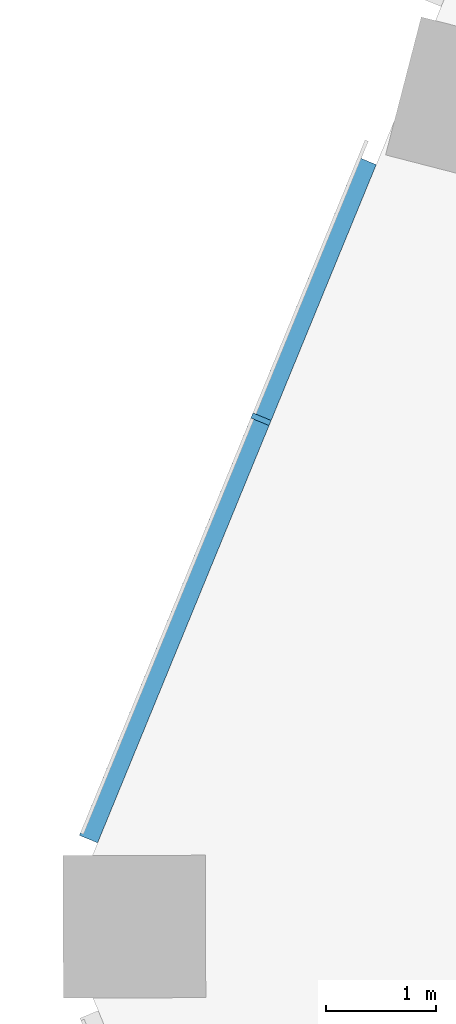
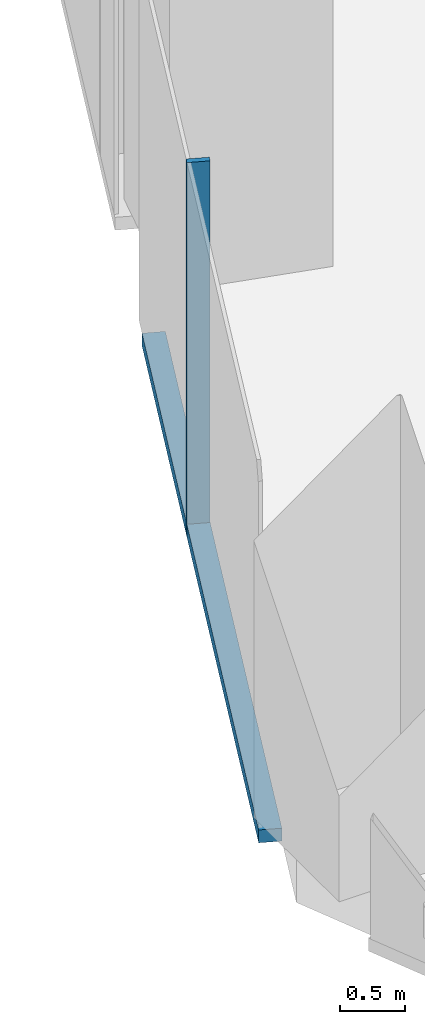
# One storey, part 8 of 34: 2 members, 1 element without a shape of its own.
"""IFC4 building model written with IfcOpenShell, lengths in metres."""

from ifc_helpers import new_model, si_unit, direction, frame, origin, origin_2d, place, context, subcontext, project, spatial, rectangle, extrude, material, material_profile, profile_set, type_object, element, aggregate, save


model = new_model("IFC4")

# Units and contexts
model_context = context("Model", 3, precision=1e-05, world=origin(), true_north=direction((0.0, 1.0)))
body_context = subcontext(model_context, "Body", "Model", "MODEL_VIEW")
ifc_project = project(units=[si_unit("LENGTHUNIT", "METRE"), si_unit("AREAUNIT", "SQUARE_METRE"), si_unit("VOLUMEUNIT", "CUBIC_METRE"), si_unit("PLANEANGLEUNIT", "RADIAN"), si_unit("MASSUNIT", "GRAM", prefix="KILO")], contexts=[model_context])

# Site, building, storey
site_placement = place(None, origin())
site = spatial("IfcSite", under=ifc_project, at=site_placement, CompositionType="ELEMENT")
building_placement = place(site_placement, origin())
building = spatial("IfcBuilding", under=site, at=building_placement, Name="Orlundy Tower", CompositionType="ELEMENT")
storey_placement = place(building_placement, frame((0.0, 0.0, 109.199951171875)))
storey = spatial("IfcBuildingStorey", under=building, at=storey_placement, Name="L27", CompositionType="ELEMENT", Elevation=109.199951171875)

# Curtain wall, members
ifc_material_1 = material(Name="Aluminium bronze anodised", Category="aluminium")
curtain_wall_type = type_object("IfcCurtainWallType", Name="CW1 wall", PredefinedType="NOTDEFINED", material=ifc_material_1)
curtain_wall_placement = place(storey_placement, origin())
curtain_wall = element("IfcCurtainWall", 1, at=curtain_wall_placement, inside=storey, type_object=curtain_wall_type, Name="CW1 run 014", PredefinedType="NOTDEFINED")
ifc_material_2 = material(Name="Aluminium bronze anodised", Category="aluminium")
ifc_material_profile_1 = material_profile(ifc_material_2, rectangle(XDim=0.179931640625, YDim=0.050048828125, at=origin_2d()), Name="CW1 mullion 50x180")
ifc_profile_set_1 = profile_set([ifc_material_profile_1], Name="Aluminium bronze anodised")
member_type_1 = type_object("IfcMemberType", Name="CW1 mullion 50x180", PredefinedType="MULLION", material=ifc_profile_set_1)
member_1_placement = place(storey_placement, frame((-30.66650390625, 4.537841796875, -0.39990234375), z_axis=(0.0, 0.0, 1.0), x_axis=(-0.924984462277, 0.380004927003, 0.0)))
member_1 = element("IfcMember", 2, at=member_1_placement, type_object=member_type_1, Name="CW1 mullion 35", PredefinedType="MULLION", context=body_context, shape_type="SweptSolid", body=[
    extrude(rectangle(XDim=0.179931640625, YDim=0.050048828125, at=origin_2d()), origin(), (0.0, 0.0, 1.0), 3.5),
])
ifc_material_3 = material(Name="Aluminium bronze anodised", Category="aluminium")
ifc_material_profile_2 = material_profile(ifc_material_3, rectangle(XDim=0.179931640625, YDim=0.1201171875, at=origin_2d()), Name="CW1 transom 180x120")
ifc_profile_set_2 = profile_set([ifc_material_profile_2], Name="Aluminium bronze anodised")
member_type_2 = type_object("IfcMemberType", Name="CW1 transom 180x120", PredefinedType="USERDEFINED", material=ifc_profile_set_2)
member_2_placement = place(storey_placement, frame((-32.24072265625, 0.705810546875, -0.33984375), z_axis=(0.380004698875, 0.924984555997, 0.0), x_axis=(-0.924984555997, 0.380004698875, 0.0)))
member_2 = element("IfcMember", 3, at=member_2_placement, type_object=member_type_2, Name="CW1 transom", ObjectType="TRANSOM", PredefinedType="USERDEFINED", context=body_context, shape_type="SweptSolid", body=[
    extrude(rectangle(XDim=0.179931640625, YDim=0.1201171875, at=origin_2d()), origin(), (0.0, 0.0, 1.0), 6.69189453125),
])
aggregate(curtain_wall, [member_1, member_2])

save(model, "model.ifc")
